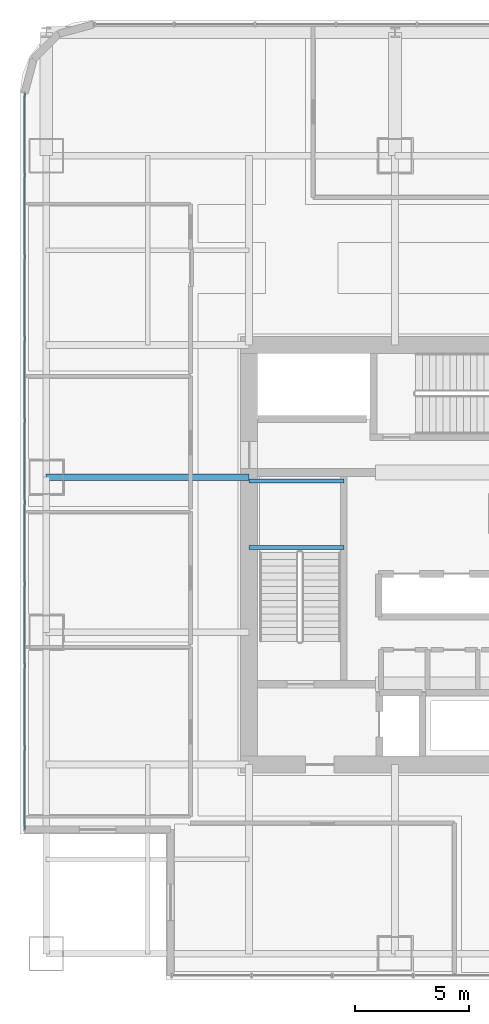
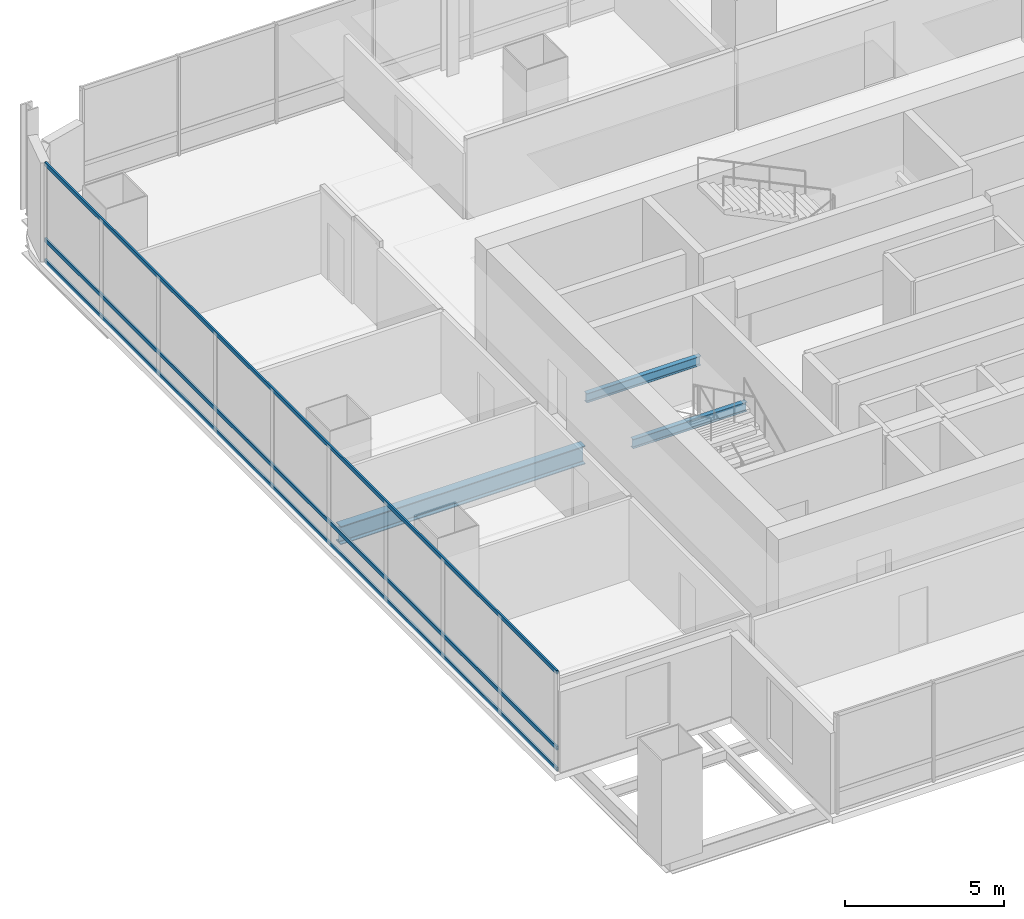
# One storey, part 10 of 34: 3 beams, 3 members, 1 element without a shape of its own.
"""IFC4 building model written with IfcOpenShell, lengths in metres."""

from ifc_helpers import new_model, si_unit, direction, frame, origin, origin_2d, place, context, subcontext, project, spatial, hollow_rectangle, i_section, extrude, material, material_profile, profile_set, type_object, element, aggregate, save


model = new_model("IFC4")

# Units and contexts
model_context = context("Model", 3, precision=1e-05, world=origin(), true_north=direction((0.0, 1.0)))
body_context = subcontext(model_context, "Body", "Model", "MODEL_VIEW")
ifc_project = project(units=[si_unit("LENGTHUNIT", "METRE"), si_unit("AREAUNIT", "SQUARE_METRE"), si_unit("VOLUMEUNIT", "CUBIC_METRE"), si_unit("PLANEANGLEUNIT", "RADIAN"), si_unit("MASSUNIT", "GRAM", prefix="KILO")], contexts=[model_context])

# Site, building, storey
site_placement = place(None, origin())
site = spatial("IfcSite", under=ifc_project, at=site_placement, CompositionType="ELEMENT")
building_placement = place(site_placement, origin())
building = spatial("IfcBuilding", under=site, at=building_placement, Name="Punatoya Terracotta Tower", CompositionType="ELEMENT")
storey_placement = place(building_placement, frame((0.0, 0.0, 117.300048828125)))
storey = spatial("IfcBuildingStorey", under=building, at=storey_placement, Name="L27", CompositionType="ELEMENT", Elevation=117.300048828125)

# Beams
ifc_material_1 = material(Name="Steel S355", Category="steel")
ifc_material_profile_1 = material_profile(ifc_material_1, i_section(OverallWidth=0.300048828125, OverallDepth=0.699951171875, WebThickness=0.01708984375, FlangeThickness=0.031982421875, FilletRadius=0.01806640625, at=origin_2d()))
ifc_profile_set_1 = profile_set([ifc_material_profile_1], Name="Steel S355")
beam_type_1 = type_object("IfcBeamType", Name="BM-PRI-700", PredefinedType="BEAM", material=ifc_profile_set_1)
beam_placement = place(storey_placement, frame((-19.10009765625, 3.39990234375, -0.590087890625), z_axis=(1.0, 0.0, 0.0), x_axis=(0.0, 1.0, 0.0)))
element("IfcBeam", 1, at=beam_placement, inside=storey, type_object=beam_type_1, Name="BM-L27-PR-WE", PredefinedType="BEAM", context=body_context, shape_type="SweptSolid", body=[
    extrude(i_section(OverallWidth=0.300048828125, OverallDepth=0.699951171875, WebThickness=0.01708984375, FlangeThickness=0.031982421875, FilletRadius=0.01806640625, at=origin_2d()), origin(), (0.0, 0.0, 1.0), 8.900146484375),
])
ifc_material_profile_2 = material_profile(ifc_material_1, i_section(OverallWidth=0.169921875, OverallDepth=0.360107421875, WebThickness=0.008056640625, FlangeThickness=0.0126953125, FilletRadius=0.01806640625, at=origin_2d()))
ifc_profile_set_2 = profile_set([ifc_material_profile_2], Name="Steel S355")
beam_type_2 = type_object("IfcBeamType", Name="BM-SEC-360", PredefinedType="JOIST", material=ifc_profile_set_2)
for number, where, z_axis, x_axis, name in (
    (2, (-10.199951171875, 0.320068359375, 1.64501953125), (1.0, 0.0, 0.0), (0.0, 1.0, 0.0), "BM-L27-ST-1-LD1A"),
    (3, (-10.199951171875, 3.22998046875, 1.64501953125), (1.0, 0.0, 0.0), (0.0, 1.0, 0.0), "BM-L27-ST-1-LD1B"),
):
    element("IfcBeam", number, at=place(storey_placement, frame(where, z_axis=z_axis, x_axis=x_axis)), inside=storey, type_object=beam_type_2, Name=name, PredefinedType="JOIST", context=body_context, shape_type="SweptSolid", body=[
        extrude(i_section(OverallWidth=0.169921875, OverallDepth=0.360107421875, WebThickness=0.008056640625, FlangeThickness=0.0126953125, FilletRadius=0.01806640625, at=origin_2d()), origin(), (0.0, 0.0, 1.0), 4.14990234375),
    ])

# Curtain wall, members
ifc_material_2 = material(Name="Aluminium 6063-T6 + Double Low-E Glass", Category="aluminium")
curtain_wall_type = type_object("IfcCurtainWallType", Name="CW-M1", PredefinedType="NOTDEFINED", material=ifc_material_2)
curtain_wall_placement = place(storey_placement, origin())
curtain_wall = element("IfcCurtainWall", 4, at=curtain_wall_placement, inside=storey, type_object=curtain_wall_type, Name="L27 Curtain Wall CW-L27-W12-1", PredefinedType="NOTDEFINED")
ifc_material_3 = material(Name="Aluminium 6063-T6", Category="aluminium")
ifc_material_profile_3 = material_profile(ifc_material_3, hollow_rectangle(XDim=0.068115234375, YDim=0.14990234375, WallThickness=0.00390625, at=origin_2d()))
ifc_profile_set_3 = profile_set([ifc_material_profile_3], Name="Aluminium 6063-T6")
member_type = type_object("IfcMemberType", Name="CW-TRN-TYP", PredefinedType="USERDEFINED", material=ifc_profile_set_3)
member_1_placement = place(storey_placement, frame((-20.050048828125, 20.23681640625, 0.0400390625), z_axis=(0.0, -1.0, 0.0), x_axis=(1.0, 0.0, 0.0)))
member_1 = element("IfcMember", 5, at=member_1_placement, type_object=member_type, Name="CW-L27-W12-1 Transom 1", ObjectType="TRANSOM", PredefinedType="USERDEFINED", context=body_context, shape_type="SweptSolid", body=[
    extrude(hollow_rectangle(XDim=0.068115234375, YDim=0.14990234375, WallThickness=0.00390625, at=origin_2d()), origin(), (0.0, 0.0, 1.0), 32.286865234375),
])
member_2_placement = place(storey_placement, frame((-20.050048828125, 20.23681640625, 0.849853515625), z_axis=(0.0, -1.0, 0.0), x_axis=(1.0, 0.0, 0.0)))
member_2 = element("IfcMember", 6, at=member_2_placement, type_object=member_type, Name="CW-L27-W12-1 Transom 2", ObjectType="TRANSOM", PredefinedType="USERDEFINED", context=body_context, shape_type="SweptSolid", body=[
    extrude(hollow_rectangle(XDim=0.068115234375, YDim=0.14990234375, WallThickness=0.00390625, at=origin_2d()), origin(), (0.0, 0.0, 1.0), 32.286865234375),
])
member_3_placement = place(storey_placement, frame((-20.050048828125, 20.23681640625, 3.77001953125), z_axis=(0.0, -1.0, 0.0), x_axis=(1.0, 0.0, 0.0)))
member_3 = element("IfcMember", 7, at=member_3_placement, type_object=member_type, Name="CW-L27-W12-1 Transom 3", ObjectType="TRANSOM", PredefinedType="USERDEFINED", context=body_context, shape_type="SweptSolid", body=[
    extrude(hollow_rectangle(XDim=0.068115234375, YDim=0.14990234375, WallThickness=0.00390625, at=origin_2d()), origin(), (0.0, 0.0, 1.0), 32.286865234375),
])
aggregate(curtain_wall, [member_1, member_2, member_3])

save(model, "model.ifc")
